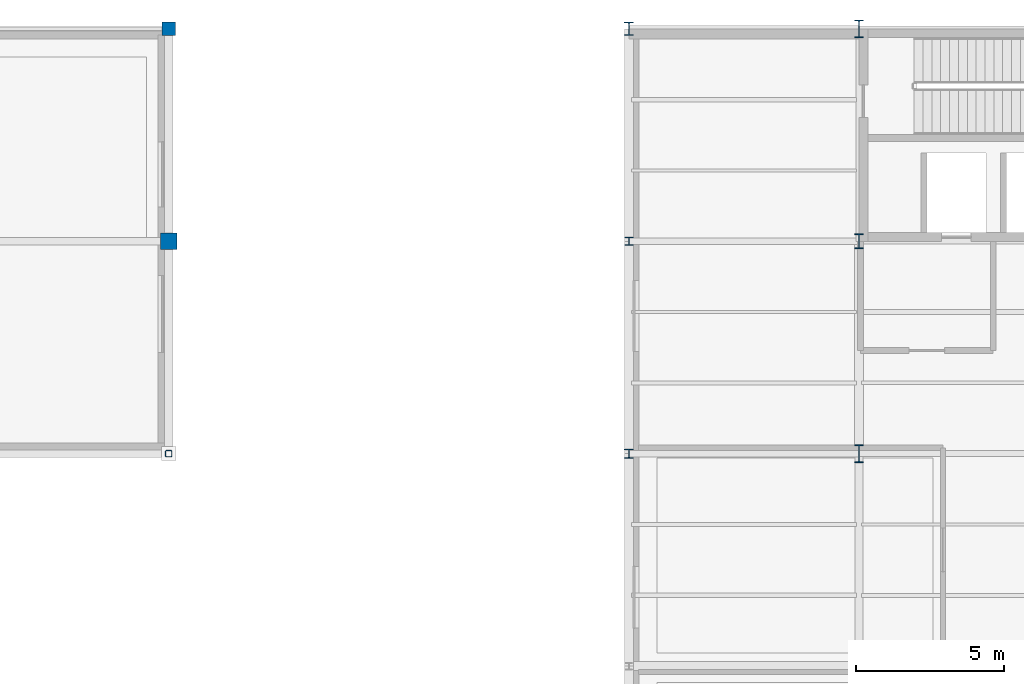
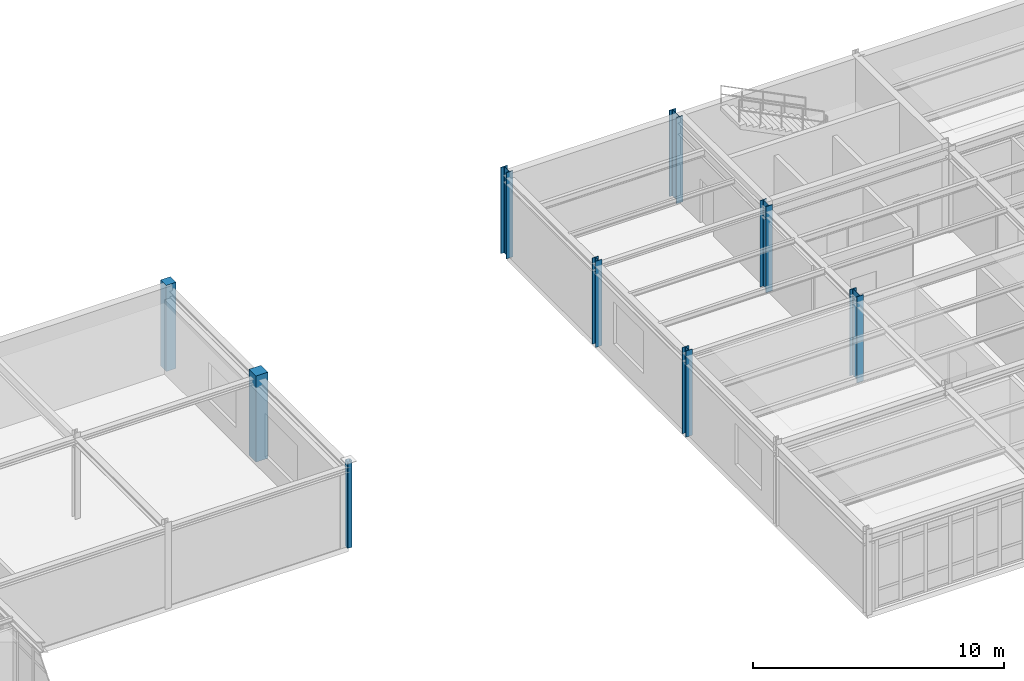
# One storey, part 15 of 90: 9 columns.
"""IFC4 building model written with IfcOpenShell, lengths in metres."""

from ifc_helpers import new_model, si_unit, derived_unit, direction, frame, origin, origin_2d, place, context, subcontext, project, spatial, rectangle, hollow_rectangle, i_section, extrude, material, material_profile, profile_set, type_object, element, save


model = new_model("IFC4")

# Units and contexts
model_context = context("Model", 3, precision=1e-05, world=origin(), true_north=direction((0.0, 1.0)))
body_context = subcontext(model_context, "Body", "Model", "MODEL_VIEW")
ifc_project = project(units=[si_unit("LENGTHUNIT", "METRE"), si_unit("AREAUNIT", "SQUARE_METRE"), si_unit("VOLUMEUNIT", "CUBIC_METRE"), si_unit("PLANEANGLEUNIT", "RADIAN"), si_unit("MASSUNIT", "GRAM", prefix="KILO"), derived_unit("THERMALTRANSMITTANCEUNIT", [(si_unit("POWERUNIT", "WATT"), 1), (si_unit("AREAUNIT", "SQUARE_METRE"), -1), (si_unit("THERMODYNAMICTEMPERATUREUNIT", "KELVIN"), -1)])], contexts=[model_context])

# Site, building, storey
site_placement = place(None, origin())
site = spatial("IfcSite", under=ifc_project, at=site_placement, CompositionType="ELEMENT")
building_placement = place(site_placement, origin())
building = spatial("IfcBuilding", under=site, at=building_placement, Name="Yasenodar Specialist Clinic", CompositionType="ELEMENT")
storey_placement = place(building_placement, frame((0.0, 0.0, 9.0)))
storey = spatial("IfcBuildingStorey", under=building, at=storey_placement, Name="L02", CompositionType="ELEMENT", Elevation=9.0)

# Columns
ifc_material_1 = material(Name="Concrete C35/45", Category="concrete")
ifc_material_profile_1 = material_profile(ifc_material_1, rectangle(XDim=0.449951171875, YDim=0.449951171875, at=origin_2d()), Name="RC 450x450")
ifc_profile_set_1 = profile_set([ifc_material_profile_1], Name="Concrete C35/45")
column_type_1 = type_object("IfcColumnType", Name="COL-RC-450", PredefinedType="COLUMN", material=ifc_profile_set_1)
column_1_placement = place(storey_placement, frame((33.60009765625, 111.60009765625, 0.0), z_axis=(0.0, 0.0, 1.0), x_axis=(1.0, 0.0, 0.0)))
element("IfcColumn", 1, at=column_1_placement, inside=storey, type_object=column_type_1, Name="L02 Column V4-071", PredefinedType="COLUMN", context=body_context, shape_type="SweptSolid", body=[
    extrude(rectangle(XDim=0.449951171875, YDim=0.449951171875, at=origin_2d()), origin(), (0.0, 0.0, 1.0), 4.199951171875),
])
ifc_material_profile_2 = material_profile(ifc_material_1, rectangle(XDim=0.550048828125, YDim=0.550048828125, at=origin_2d()), Name="RC 550x550")
ifc_profile_set_2 = profile_set([ifc_material_profile_2], Name="Concrete C35/45")
column_type_2 = type_object("IfcColumnType", Name="COL-RC-550", PredefinedType="COLUMN", material=ifc_profile_set_2)
column_2_placement = place(storey_placement, frame((33.60009765625, 104.39990234375, 0.0), z_axis=(0.0, 0.0, 1.0), x_axis=(1.0, 0.0, 0.0)))
element("IfcColumn", 2, at=column_2_placement, inside=storey, type_object=column_type_2, Name="L02 Column V4-070", PredefinedType="COLUMN", context=body_context, shape_type="SweptSolid", body=[
    extrude(rectangle(XDim=0.550048828125, YDim=0.550048828125, at=origin_2d()), origin(), (0.0, 0.0, 1.0), 4.199951171875),
])
ifc_material_2 = material(Name="Steel S355", Category="steel")
ifc_material_profile_3 = material_profile(ifc_material_2, i_section(OverallWidth=0.280029296875, OverallDepth=0.280029296875, WebThickness=0.010498046875, FlangeThickness=0.01806640625, FilletRadius=0.02392578125, at=origin_2d()), Name="HEB 280")
ifc_profile_set_3 = profile_set([ifc_material_profile_3], Name="Steel S355")
column_type_3 = type_object("IfcColumnType", Name="COL-ST-HEB280", PredefinedType="COLUMN", material=ifc_profile_set_3)
column_3_placement = place(storey_placement, frame((49.199951171875, 104.39990234375, 0.0), z_axis=(0.0, 0.0, 1.0), x_axis=(1.0, 0.0, 0.0)))
element("IfcColumn", 3, at=column_3_placement, inside=storey, type_object=column_type_3, Name="L02 Column V5-084", PredefinedType="COLUMN", context=body_context, shape_type="SweptSolid", body=[
    extrude(i_section(OverallWidth=0.280029296875, OverallDepth=0.280029296875, WebThickness=0.010498046875, FlangeThickness=0.01806640625, FilletRadius=0.02392578125, at=origin_2d()), origin(), (0.0, 0.0, 1.0), 4.199951171875),
])
ifc_material_profile_4 = material_profile(ifc_material_2, i_section(OverallWidth=0.300048828125, OverallDepth=0.300048828125, WebThickness=0.010986328125, FlangeThickness=0.01904296875, FilletRadius=0.027099609375, at=origin_2d()), Name="HEB 300")
ifc_profile_set_4 = profile_set([ifc_material_profile_4], Name="Steel S355")
column_type_4 = type_object("IfcColumnType", Name="COL-ST-HEB300", PredefinedType="COLUMN", material=ifc_profile_set_4)
column_4_placement = place(storey_placement, frame((49.199951171875, 97.199951171875, 0.0), z_axis=(0.0, 0.0, 1.0), x_axis=(1.0, 0.0, 0.0)))
element("IfcColumn", 4, at=column_4_placement, inside=storey, type_object=column_type_4, Name="L02 Column V5-083", PredefinedType="COLUMN", context=body_context, shape_type="SweptSolid", body=[
    extrude(i_section(OverallWidth=0.300048828125, OverallDepth=0.300048828125, WebThickness=0.010986328125, FlangeThickness=0.01904296875, FilletRadius=0.027099609375, at=origin_2d()), origin(), (0.0, 0.0, 1.0), 4.199951171875),
])
ifc_material_profile_5 = material_profile(ifc_material_2, i_section(OverallWidth=0.300048828125, OverallDepth=0.449951171875, WebThickness=0.013916015625, FlangeThickness=0.02587890625, FilletRadius=0.027099609375, at=origin_2d()), Name="HEB 450")
ifc_profile_set_5 = profile_set([ifc_material_profile_5], Name="Steel S355")
column_type_5 = type_object("IfcColumnType", Name="COL-ST-HEB450", PredefinedType="COLUMN", material=ifc_profile_set_5)
column_5_placement = place(storey_placement, frame((49.199951171875, 111.60009765625, 0.0), z_axis=(0.0, 0.0, 1.0), x_axis=(1.0, 0.0, 0.0)))
element("IfcColumn", 5, at=column_5_placement, inside=storey, type_object=column_type_5, Name="L02 Column V5-085", PredefinedType="COLUMN", context=body_context, shape_type="SweptSolid", body=[
    extrude(i_section(OverallWidth=0.300048828125, OverallDepth=0.449951171875, WebThickness=0.013916015625, FlangeThickness=0.02587890625, FilletRadius=0.027099609375, at=origin_2d()), origin(), (0.0, 0.0, 1.0), 4.199951171875),
])
ifc_material_profile_6 = material_profile(ifc_material_2, i_section(OverallWidth=0.300048828125, OverallDepth=0.5, WebThickness=0.014404296875, FlangeThickness=0.028076171875, FilletRadius=0.027099609375, at=origin_2d()), Name="HEB 500")
ifc_profile_set_6 = profile_set([ifc_material_profile_6], Name="Steel S355")
column_type_6 = type_object("IfcColumnType", Name="COL-ST-HEB500", PredefinedType="COLUMN", material=ifc_profile_set_6)
column_6_placement = place(storey_placement, frame((57.0, 104.39990234375, 0.0), z_axis=(0.0, 0.0, 1.0), x_axis=(1.0, 0.0, 0.0)))
element("IfcColumn", 6, at=column_6_placement, inside=storey, type_object=column_type_6, Name="L02 Column V5-091", PredefinedType="COLUMN", context=body_context, shape_type="SweptSolid", body=[
    extrude(i_section(OverallWidth=0.300048828125, OverallDepth=0.5, WebThickness=0.014404296875, FlangeThickness=0.028076171875, FilletRadius=0.027099609375, at=origin_2d()), origin(), (0.0, 0.0, 1.0), 4.199951171875),
])
ifc_material_profile_7 = material_profile(ifc_material_2, i_section(OverallWidth=0.300048828125, OverallDepth=0.60009765625, WebThickness=0.015380859375, FlangeThickness=0.030029296875, FilletRadius=0.027099609375, at=origin_2d()), Name="HEB 600")
ifc_profile_set_7 = profile_set([ifc_material_profile_7], Name="Steel S355")
column_type_7 = type_object("IfcColumnType", Name="COL-ST-HEB600", PredefinedType="COLUMN", material=ifc_profile_set_7)
for number, where, z_axis, x_axis, name in (
    (7, (57.0, 97.199951171875, 0.0), (0.0, 0.0, 1.0), (1.0, 0.0, 0.0), "L02 Column V5-090"),
    (8, (57.0, 111.60009765625, 0.0), (0.0, 0.0, 1.0), (1.0, 0.0, 0.0), "L02 Column V5-092"),
):
    element("IfcColumn", number, at=place(storey_placement, frame(where, z_axis=z_axis, x_axis=x_axis)), inside=storey, type_object=column_type_7, Name=name, PredefinedType="COLUMN", context=body_context, shape_type="SweptSolid", body=[
        extrude(i_section(OverallWidth=0.300048828125, OverallDepth=0.60009765625, WebThickness=0.015380859375, FlangeThickness=0.030029296875, FilletRadius=0.027099609375, at=origin_2d()), origin(), (0.0, 0.0, 1.0), 4.199951171875),
    ])
ifc_material_profile_8 = material_profile(ifc_material_2, hollow_rectangle(XDim=0.219970703125, YDim=0.219970703125, WallThickness=0.012451171875, InnerFilletRadius=0.018798828125, OuterFilletRadius=0.03125, at=origin_2d()), Name="SHS 220x220x12.5")
ifc_profile_set_8 = profile_set([ifc_material_profile_8], Name="Steel S355")
column_type_8 = type_object("IfcColumnType", Name="COL-ST-SHS220", PredefinedType="COLUMN", material=ifc_profile_set_8)
column_7_placement = place(storey_placement, frame((33.60009765625, 97.199951171875, 0.0), z_axis=(0.0, 0.0, 1.0), x_axis=(1.0, 0.0, 0.0)))
element("IfcColumn", 9, at=column_7_placement, inside=storey, type_object=column_type_8, Name="L02 Column V4-069", PredefinedType="COLUMN", context=body_context, shape_type="SweptSolid", body=[
    extrude(hollow_rectangle(XDim=0.219970703125, YDim=0.219970703125, WallThickness=0.012451171875, InnerFilletRadius=0.018798828125, OuterFilletRadius=0.03125, at=origin_2d()), origin(), (0.0, 0.0, 1.0), 4.199951171875),
])

save(model, "model.ifc")
